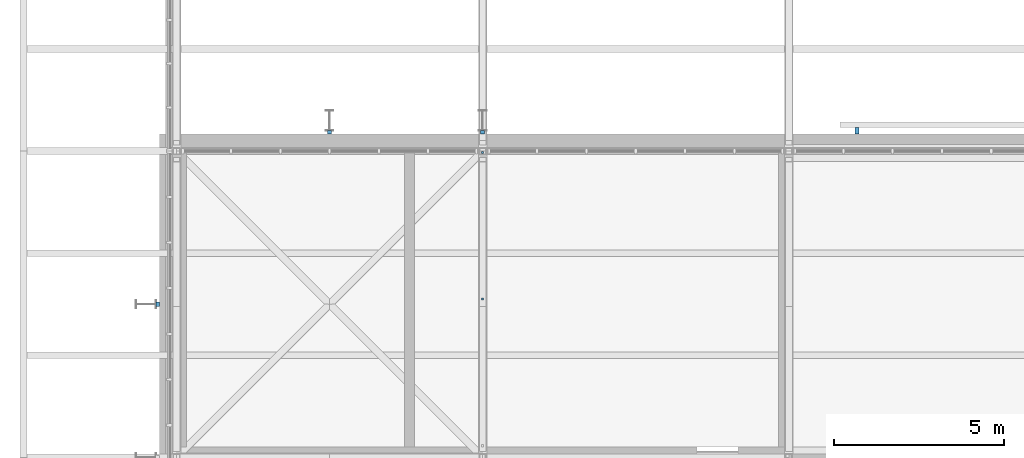
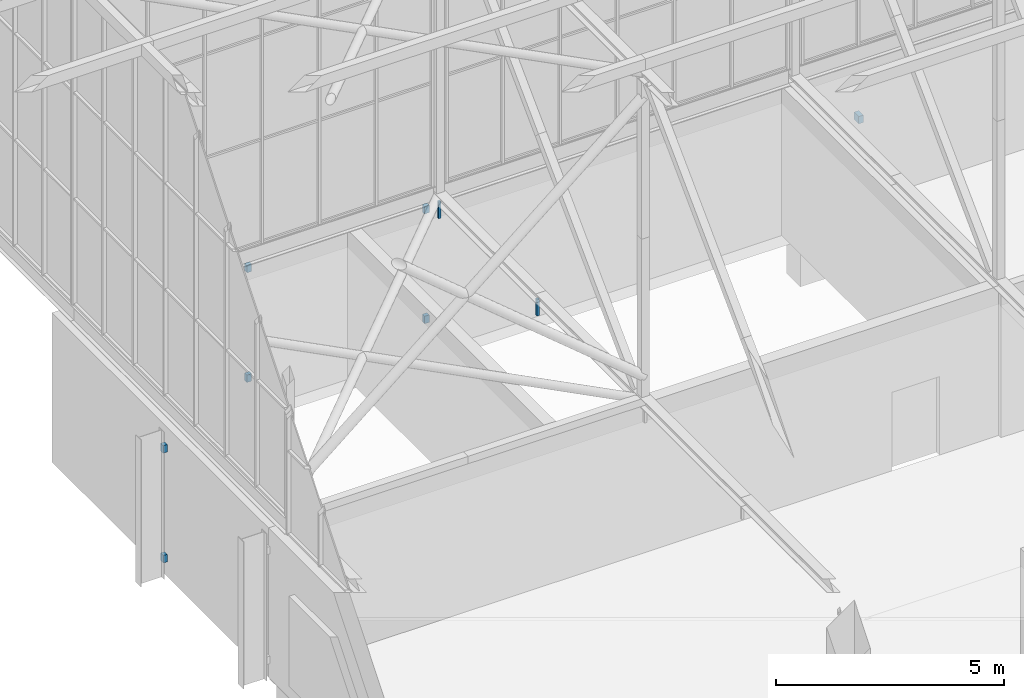
# One storey, part 227 of 646: 9 discrete accessories.
"""IFC4 building model written with IfcOpenShell, lengths in metres."""

from ifc_helpers import new_model, si_unit, direction, frame, origin, origin_2d, place, context, subcontext, project, spatial, rectangle, extrude, material, type_object, element, save


model = new_model("IFC4")

# Units and contexts
model_context = context("Model", 3, precision=1e-05, world=origin(), true_north=direction((0.0, 1.0)))
body_context = subcontext(model_context, "Body", "Model", "MODEL_VIEW")
ifc_project = project(units=[si_unit("LENGTHUNIT", "METRE"), si_unit("AREAUNIT", "SQUARE_METRE"), si_unit("VOLUMEUNIT", "CUBIC_METRE"), si_unit("PLANEANGLEUNIT", "RADIAN"), si_unit("MASSUNIT", "GRAM", prefix="KILO")], contexts=[model_context])

# Site, building, storey
site_placement = place(None, origin())
site = spatial("IfcSite", under=ifc_project, at=site_placement, CompositionType="ELEMENT")
building_placement = place(site_placement, origin())
building = spatial("IfcBuilding", under=site, at=building_placement, Name="Silverbay Arena", CompositionType="ELEMENT")
storey_placement = place(building_placement, frame((0.0, 0.0, 33.5)))
storey = spatial("IfcBuildingStorey", under=building, at=storey_placement, Name="L05", CompositionType="ELEMENT", Elevation=33.5)

# Discrete accessories
ifc_material_1 = material(Name="Steel S355", Category="steel")
discrete_accessory_type_1 = type_object("IfcDiscreteAccessoryType", Name="Ceiling hanger", PredefinedType="BRACKET", material=ifc_material_1)
for number, where, z_axis, x_axis, name in (
    (1, (63.0, 139.64990234375, 3.5498046875), (0.0, 0.0, 1.0), (1.0, 0.0, 0.0), "Ceiling hanger"),
    (2, (63.0, 143.9599609375, 3.5498046875), (0.0, 0.0, 1.0), (1.0, 0.0, 0.0), "Ceiling hanger"),
):
    element("IfcDiscreteAccessory", number, at=place(storey_placement, frame(where, z_axis=z_axis, x_axis=x_axis)), inside=storey, type_object=discrete_accessory_type_1, Name=name, PredefinedType="BRACKET", context=body_context, shape_type="SweptSolid", body=[
        extrude(rectangle(XDim=0.06005859375, YDim=0.06005859375, at=origin_2d()), origin(), (0.0, 0.0, 1.0), 0.449951171875),
    ])
ifc_material_2 = material(Name="Steel S355", Category="steel")
discrete_accessory_type_2 = type_object("IfcDiscreteAccessoryType", Name="Steel bracket plate", PredefinedType="BRACKET", material=ifc_material_2)
discrete_accessory_placement = place(storey_placement, frame((74.0, 144.60009765625, 1.89990234375), z_axis=(0.0, 0.0, 1.0), x_axis=(1.0, 0.0, 0.0)))
element("IfcDiscreteAccessory", 3, at=discrete_accessory_placement, inside=storey, type_object=discrete_accessory_type_2, Name="Louvre support bracket", PredefinedType="BRACKET", context=body_context, shape_type="SweptSolid", body=[
    extrude(rectangle(XDim=0.1201171875, YDim=0.199951171875, at=origin_2d()), origin(), (0.0, 0.0, 1.0), 0.199951171875),
])
for number, where, z_axis, x_axis, name in (
    (4, (58.5, 144.550048828125, 0.39990234375), (0.0, 0.0, 1.0), (1.0, 0.0, 0.0), "Fin bracket"),
    (5, (58.5, 144.550048828125, 3.33984375), (0.0, 0.0, 1.0), (1.0, 0.0, 0.0), "Fin bracket"),
    (6, (63.0, 144.550048828125, 0.39990234375), (0.0, 0.0, 1.0), (1.0, 0.0, 0.0), "Fin bracket"),
    (7, (63.0, 144.550048828125, 3.33984375), (0.0, 0.0, 1.0), (1.0, 0.0, 0.0), "Fin bracket"),
):
    element("IfcDiscreteAccessory", number, at=place(storey_placement, frame(where, z_axis=z_axis, x_axis=x_axis)), inside=storey, type_object=discrete_accessory_type_2, Name=name, PredefinedType="BRACKET", context=body_context, shape_type="SweptSolid", body=[
        extrude(rectangle(XDim=0.1201171875, YDim=0.10009765625, at=origin_2d()), origin(), (0.0, 0.0, 1.0), 0.199951171875),
    ])
for number, where, z_axis, x_axis, name in (
    (8, (53.449951171875, 139.5, 0.39990234375), (0.0, 0.0, 1.0), (1.0, 0.0, 0.0), "Fin bracket"),
    (9, (53.449951171875, 139.5, 3.33984375), (0.0, 0.0, 1.0), (1.0, 0.0, 0.0), "Fin bracket"),
):
    element("IfcDiscreteAccessory", number, at=place(storey_placement, frame(where, z_axis=z_axis, x_axis=x_axis)), inside=storey, type_object=discrete_accessory_type_2, Name=name, PredefinedType="BRACKET", context=body_context, shape_type="SweptSolid", body=[
        extrude(rectangle(XDim=0.10009765625, YDim=0.1201171875, at=origin_2d()), origin(), (0.0, 0.0, 1.0), 0.199951171875),
    ])

save(model, "model.ifc")
